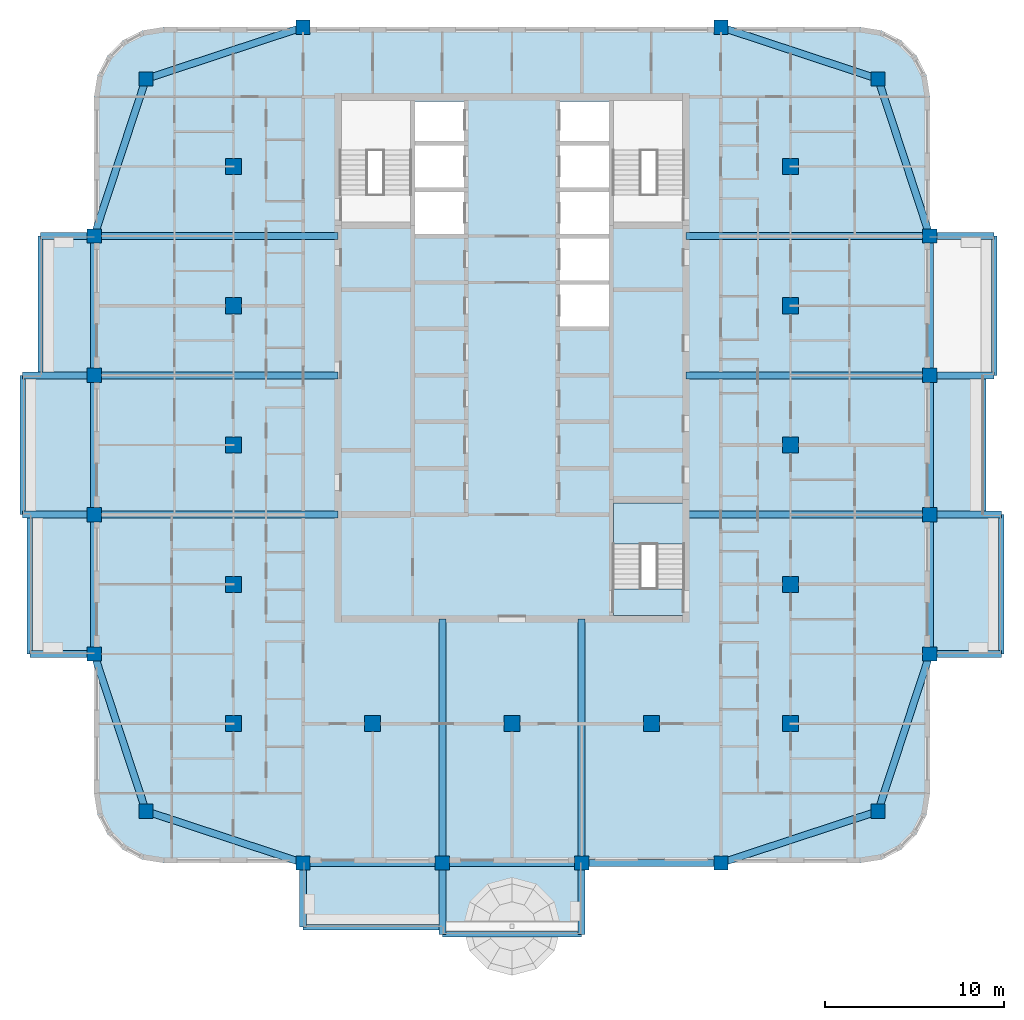
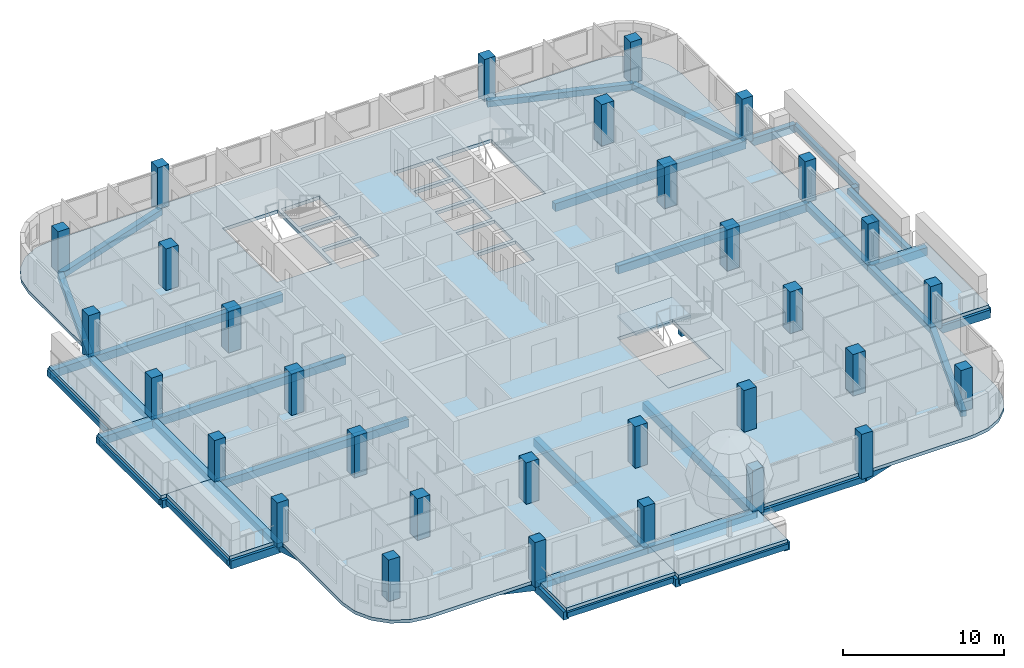
# One storey, part 1 of 17: 44 beams, 31 columns, 10 slabs, 1 element without a shape of its own.
"""IFC4 building model written with IfcOpenShell, lengths in metres."""

from ifc_helpers import new_model, si_unit, direction, frame, origin, origin_2d, place, context, subcontext, project, spatial, polyline, rectangle, outline, extrude, material, layer, layer_set, material_profile, profile_set, type_object, element, aggregate, save


model = new_model("IFC4")

# Units and contexts
model_context = context("Model", 3, precision=1e-05, world=origin(), true_north=direction((0.0, 1.0)))
body_context = subcontext(model_context, "Body", "Model", "MODEL_VIEW")
ifc_project = project(units=[si_unit("LENGTHUNIT", "METRE"), si_unit("AREAUNIT", "SQUARE_METRE"), si_unit("VOLUMEUNIT", "CUBIC_METRE"), si_unit("PLANEANGLEUNIT", "RADIAN"), si_unit("MASSUNIT", "GRAM", prefix="KILO")], contexts=[model_context])

# Site, building, storey
site_placement = place(None, origin())
site = spatial("IfcSite", under=ifc_project, at=site_placement, CompositionType="ELEMENT")
building_placement = place(site_placement, origin())
building = spatial("IfcBuilding", under=site, at=building_placement, Name="Ludao Terraces", CompositionType="ELEMENT")
storey_placement = place(building_placement, frame((0.0, 0.0, 221.10009765625)))
storey = spatial("IfcBuildingStorey", under=building, at=storey_placement, Name="L60", CompositionType="ELEMENT", Elevation=221.10009765625)

# Columns
ifc_material_1 = material(Name="Concrete C50", Category="concrete")
ifc_material_profile_1 = material_profile(ifc_material_1, rectangle(XDim=0.800048828125, YDim=0.800048828125, at=origin_2d()), Name="800 X 800")
ifc_profile_set_1 = profile_set([ifc_material_profile_1], Name="Concrete C50")
column_type_1 = type_object("IfcColumnType", Name="RC column 800x800 C50", PredefinedType="COLUMN", material=ifc_profile_set_1)
for number, where, z_axis, x_axis, name in (
    (1, (64.5, 44.5, -0.25), (0.0, 0.0, 1.0), (1.0, 0.0, 0.0), "Column L60 C0029x0029"),
    (2, (105.5, 44.5, -0.25), (0.0, 0.0, 1.0), (1.0, 0.0, 0.0), "Column L60 C0439x0029"),
    (3, (64.5, 85.5, -0.25), (0.0, 0.0, 1.0), (1.0, 0.0, 0.0), "Column L60 C0029x0439"),
    (4, (105.5, 85.5, -0.25), (0.0, 0.0, 1.0), (1.0, 0.0, 0.0), "Column L60 C0439x0439"),
    (5, (61.60009765625, 53.300048828125, -0.25), (0.0, 0.0, 1.0), (1.0, 0.0, 0.0), "Column L60 F0000x0117"),
    (6, (108.39990234375, 53.300048828125, -0.25), (0.0, 0.0, 1.0), (1.0, 0.0, 0.0), "Column L60 F0468x0117"),
    (7, (73.300048828125, 41.60009765625, -0.25), (0.0, 0.0, 1.0), (1.0, 0.0, 0.0), "Column L60 F0117x0000"),
    (8, (73.300048828125, 88.39990234375, -0.25), (0.0, 0.0, 1.0), (1.0, 0.0, 0.0), "Column L60 F0117x0468"),
    (9, (61.60009765625, 61.10009765625, -0.25), (0.0, 0.0, 1.0), (1.0, 0.0, 0.0), "Column L60 F0000x0195"),
    (10, (108.39990234375, 61.10009765625, -0.25), (0.0, 0.0, 1.0), (1.0, 0.0, 0.0), "Column L60 F0468x0195"),
    (11, (81.10009765625, 41.60009765625, -0.25), (0.0, 0.0, 1.0), (1.0, 0.0, 0.0), "Column L60 F0195x0000"),
    (12, (61.60009765625, 68.89990234375, -0.25), (0.0, 0.0, 1.0), (1.0, 0.0, 0.0), "Column L60 F0000x0273"),
    (13, (108.39990234375, 68.89990234375, -0.25), (0.0, 0.0, 1.0), (1.0, 0.0, 0.0), "Column L60 F0468x0273"),
    (14, (88.89990234375, 41.60009765625, -0.25), (0.0, 0.0, 1.0), (1.0, 0.0, 0.0), "Column L60 F0273x0000"),
    (15, (61.60009765625, 76.699951171875, -0.25), (0.0, 0.0, 1.0), (1.0, 0.0, 0.0), "Column L60 F0000x0351"),
    (16, (108.39990234375, 76.699951171875, -0.25), (0.0, 0.0, 1.0), (1.0, 0.0, 0.0), "Column L60 F0468x0351"),
    (17, (96.699951171875, 41.60009765625, -0.25), (0.0, 0.0, 1.0), (1.0, 0.0, 0.0), "Column L60 F0351x0000"),
    (18, (96.699951171875, 88.39990234375, -0.25), (0.0, 0.0, 1.0), (1.0, 0.0, 0.0), "Column L60 F0351x0468"),
):
    element("IfcColumn", number, at=place(storey_placement, frame(where, z_axis=z_axis, x_axis=x_axis)), inside=storey, type_object=column_type_1, Name=name, PredefinedType="COLUMN", context=body_context, shape_type="SweptSolid", body=[
        extrude(rectangle(XDim=0.800048828125, YDim=0.800048828125, at=origin_2d()), origin(), (0.0, 0.0, 1.0), 3.39990234375),
    ])
ifc_material_profile_2 = material_profile(ifc_material_1, rectangle(XDim=0.89990234375, YDim=0.89990234375, at=origin_2d()), Name="900 X 900")
ifc_profile_set_2 = profile_set([ifc_material_profile_2], Name="Concrete C50")
column_type_2 = type_object("IfcColumnType", Name="RC column 900x900 C50", PredefinedType="COLUMN", material=ifc_profile_set_2)
for number, where, z_axis, x_axis, name in (
    (19, (69.39990234375, 49.39990234375, -0.25), (0.0, 0.0, 1.0), (1.0, 0.0, 0.0), "Column L60 S0078x0078"),
    (20, (69.39990234375, 57.199951171875, -0.25), (0.0, 0.0, 1.0), (1.0, 0.0, 0.0), "Column L60 S0078x0156"),
    (21, (69.39990234375, 65.0, -0.25), (0.0, 0.0, 1.0), (1.0, 0.0, 0.0), "Column L60 S0078x0234"),
    (22, (69.39990234375, 72.800048828125, -0.25), (0.0, 0.0, 1.0), (1.0, 0.0, 0.0), "Column L60 S0078x0312"),
    (23, (69.39990234375, 80.60009765625, -0.25), (0.0, 0.0, 1.0), (1.0, 0.0, 0.0), "Column L60 S0078x0390"),
    (24, (77.199951171875, 49.39990234375, -0.25), (0.0, 0.0, 1.0), (1.0, 0.0, 0.0), "Column L60 S0156x0078"),
    (25, (85.0, 49.39990234375, -0.25), (0.0, 0.0, 1.0), (1.0, 0.0, 0.0), "Column L60 S0234x0078"),
    (26, (92.800048828125, 49.39990234375, -0.25), (0.0, 0.0, 1.0), (1.0, 0.0, 0.0), "Column L60 S0312x0078"),
    (27, (100.60009765625, 49.39990234375, -0.25), (0.0, 0.0, 1.0), (1.0, 0.0, 0.0), "Column L60 S0390x0078"),
    (28, (100.60009765625, 57.199951171875, -0.25), (0.0, 0.0, 1.0), (1.0, 0.0, 0.0), "Column L60 S0390x0156"),
    (29, (100.60009765625, 65.0, -0.25), (0.0, 0.0, 1.0), (1.0, 0.0, 0.0), "Column L60 S0390x0234"),
    (30, (100.60009765625, 72.800048828125, -0.25), (0.0, 0.0, 1.0), (1.0, 0.0, 0.0), "Column L60 S0390x0312"),
    (31, (100.60009765625, 80.60009765625, -0.25), (0.0, 0.0, 1.0), (1.0, 0.0, 0.0), "Column L60 S0390x0390"),
):
    element("IfcColumn", number, at=place(storey_placement, frame(where, z_axis=z_axis, x_axis=x_axis)), inside=storey, type_object=column_type_2, Name=name, PredefinedType="COLUMN", context=body_context, shape_type="SweptSolid", body=[
        extrude(rectangle(XDim=0.89990234375, YDim=0.89990234375, at=origin_2d()), origin(), (0.0, 0.0, 1.0), 3.39990234375),
    ])

# Beams
ifc_material_2 = material(Name="Concrete C40", Category="concrete")
ifc_material_profile_3 = material_profile(ifc_material_2, rectangle(XDim=0.300048828125, YDim=0.39990234375, at=origin_2d()), Name="300 X 400")
ifc_profile_set_3 = profile_set([ifc_material_profile_3], Name="Concrete C40")
beam_type_1 = type_object("IfcBeamType", Name="RC beam 300x400 C40", PredefinedType="BEAM", material=ifc_profile_set_3)
beam_1_placement = place(storey_placement, frame((73.300048828125, 38.0, -0.4501953125), z_axis=(1.0, 0.0, 0.0), x_axis=(0.0, 1.0, 0.0)))
element("IfcBeam", 32, at=beam_1_placement, inside=storey, type_object=beam_type_1, Name="Balcony edge beam L60 S1", PredefinedType="BEAM", context=body_context, shape_type="SweptSolid", body=[
    extrude(rectangle(XDim=0.300048828125, YDim=0.39990234375, at=origin_2d()), origin(), (0.0, 0.0, 1.0), 7.800048828125),
])
beam_2_placement = place(storey_placement, frame((81.10009765625, 37.60009765625, -0.4501953125), z_axis=(1.0, 0.0, 0.0), x_axis=(0.0, 1.0, 0.0)))
element("IfcBeam", 33, at=beam_2_placement, inside=storey, type_object=beam_type_1, Name="Balcony edge beam L60 S2", PredefinedType="BEAM", context=body_context, shape_type="SweptSolid", body=[
    extrude(rectangle(XDim=0.300048828125, YDim=0.39990234375, at=origin_2d()), origin(), (0.0, 0.0, 1.0), 7.7998046875),
])
beam_3_placement = place(storey_placement, frame((112.39990234375, 53.300048828125, -0.4501953125), z_axis=(0.0, 1.0, 0.0), x_axis=(-1.0, 0.0, 0.0)))
element("IfcBeam", 34, at=beam_3_placement, inside=storey, type_object=beam_type_1, Name="Balcony edge beam L60 E1", PredefinedType="BEAM", context=body_context, shape_type="SweptSolid", body=[
    extrude(rectangle(XDim=0.300048828125, YDim=0.39990234375, at=origin_2d()), origin(), (0.0, 0.0, 1.0), 7.800048828125),
])
beam_4_placement = place(storey_placement, frame((111.39990234375, 61.10009765625, -0.4501953125), z_axis=(0.0, 1.0, 0.0), x_axis=(-1.0, 0.0, 0.0)))
element("IfcBeam", 35, at=beam_4_placement, inside=storey, type_object=beam_type_1, Name="Balcony edge beam L60 E2", PredefinedType="BEAM", context=body_context, shape_type="SweptSolid", body=[
    extrude(rectangle(XDim=0.300048828125, YDim=0.39990234375, at=origin_2d()), origin(), (0.0, 0.0, 1.0), 7.7998046875),
])
for number, where, z_axis, x_axis, name in (
    (36, (112.0, 68.89990234375, -0.4501953125), (0.0, 1.0, 0.0), (-1.0, 0.0, 0.0), "Balcony edge beam L60 E3"),
    (37, (58.0, 53.300048828125, -0.4501953125), (0.0, 1.0, 0.0), (-1.0, 0.0, 0.0), "Balcony edge beam L60 W1"),
):
    element("IfcBeam", number, at=place(storey_placement, frame(where, z_axis=z_axis, x_axis=x_axis)), inside=storey, type_object=beam_type_1, Name=name, PredefinedType="BEAM", context=body_context, shape_type="SweptSolid", body=[
        extrude(rectangle(XDim=0.300048828125, YDim=0.39990234375, at=origin_2d()), origin(), (0.0, 0.0, 1.0), 7.800048828125),
    ])
beam_5_placement = place(storey_placement, frame((57.60009765625, 61.10009765625, -0.4501953125), z_axis=(0.0, 1.0, 0.0), x_axis=(-1.0, 0.0, 0.0)))
element("IfcBeam", 38, at=beam_5_placement, inside=storey, type_object=beam_type_1, Name="Balcony edge beam L60 W2", PredefinedType="BEAM", context=body_context, shape_type="SweptSolid", body=[
    extrude(rectangle(XDim=0.300048828125, YDim=0.39990234375, at=origin_2d()), origin(), (0.0, 0.0, 1.0), 7.7998046875),
])
beam_6_placement = place(storey_placement, frame((58.60009765625, 68.89990234375, -0.4501953125), z_axis=(0.0, 1.0, 0.0), x_axis=(-1.0, 0.0, 0.0)))
element("IfcBeam", 39, at=beam_6_placement, inside=storey, type_object=beam_type_1, Name="Balcony edge beam L60 W3", PredefinedType="BEAM", context=body_context, shape_type="SweptSolid", body=[
    extrude(rectangle(XDim=0.300048828125, YDim=0.39990234375, at=origin_2d()), origin(), (0.0, 0.0, 1.0), 7.800048828125),
])
ifc_material_profile_4 = material_profile(ifc_material_2, rectangle(XDim=0.39990234375, YDim=0.449951171875, at=origin_2d()), Name="400 X 450")
ifc_profile_set_4 = profile_set([ifc_material_profile_4], Name="Concrete C40")
beam_type_2 = type_object("IfcBeamType", Name="RC beam 400x450 C40", PredefinedType="BEAM", material=ifc_profile_set_4)
beam_7_placement = place(storey_placement, frame((64.5, 44.5, -0.47509765625), z_axis=(0.949760691408, -0.312977042379, 0.0), x_axis=(0.312977042379, 0.949760691408, 0.0)))
element("IfcBeam", 40, at=beam_7_placement, inside=storey, type_object=beam_type_2, Name="Spandrel beam L60 S1", PredefinedType="BEAM", context=body_context, shape_type="SweptSolid", body=[
    extrude(rectangle(XDim=0.39990234375, YDim=0.449951171875, at=origin_2d()), origin(), (0.0, 0.0, 1.0), 9.265625),
])
beam_8_placement = place(storey_placement, frame((73.300048828125, 41.60009765625, -0.47509765625), z_axis=(1.0, 0.0, 0.0), x_axis=(0.0, 1.0, 0.0)))
element("IfcBeam", 41, at=beam_8_placement, inside=storey, type_object=beam_type_2, Name="Spandrel beam L60 S2", PredefinedType="BEAM", context=body_context, shape_type="SweptSolid", body=[
    extrude(rectangle(XDim=0.39990234375, YDim=0.449951171875, at=origin_2d()), origin(), (0.0, 0.0, 1.0), 7.800048828125),
])
beam_9_placement = place(storey_placement, frame((81.10009765625, 41.60009765625, -0.47509765625), z_axis=(1.0, 0.0, 0.0), x_axis=(0.0, 1.0, 0.0)))
element("IfcBeam", 42, at=beam_9_placement, inside=storey, type_object=beam_type_2, Name="Spandrel beam L60 S3", PredefinedType="BEAM", context=body_context, shape_type="SweptSolid", body=[
    extrude(rectangle(XDim=0.39990234375, YDim=0.449951171875, at=origin_2d()), origin(), (0.0, 0.0, 1.0), 7.7998046875),
])
beam_10_placement = place(storey_placement, frame((88.89990234375, 41.60009765625, -0.47509765625), z_axis=(1.0, 0.0, 0.0), x_axis=(0.0, 1.0, 0.0)))
element("IfcBeam", 43, at=beam_10_placement, inside=storey, type_object=beam_type_2, Name="Spandrel beam L60 S4", PredefinedType="BEAM", context=body_context, shape_type="SweptSolid", body=[
    extrude(rectangle(XDim=0.39990234375, YDim=0.449951171875, at=origin_2d()), origin(), (0.0, 0.0, 1.0), 7.800048828125),
])
for number, where, z_axis, x_axis, name in (
    (44, (96.699951171875, 41.60009765625, -0.47509765625), (0.949760691408, 0.312977042379, 0.0), (-0.312977042379, 0.949760691408, 0.0), "Spandrel beam L60 S5"),
    (45, (64.5, 85.5, -0.47509765625), (0.949760691408, 0.312977042379, 0.0), (-0.312977042379, 0.949760691408, 0.0), "Spandrel beam L60 N6"),
    (46, (96.699951171875, 88.39990234375, -0.47509765625), (0.949760691408, -0.312977042379, 0.0), (0.312977042379, 0.949760691408, 0.0), "Spandrel beam L60 N7"),
    (47, (64.5, 44.5, -0.47509765625), (-0.312977042379, 0.949760691408, 0.0), (-0.949760691408, -0.312977042379, 0.0), "Spandrel beam L60 W8"),
):
    element("IfcBeam", number, at=place(storey_placement, frame(where, z_axis=z_axis, x_axis=x_axis)), inside=storey, type_object=beam_type_2, Name=name, PredefinedType="BEAM", context=body_context, shape_type="SweptSolid", body=[
        extrude(rectangle(XDim=0.39990234375, YDim=0.449951171875, at=origin_2d()), origin(), (0.0, 0.0, 1.0), 9.265625),
    ])
beam_11_placement = place(storey_placement, frame((61.60009765625, 53.300048828125, -0.47509765625), z_axis=(0.0, 1.0, 0.0), x_axis=(-1.0, 0.0, 0.0)))
element("IfcBeam", 48, at=beam_11_placement, inside=storey, type_object=beam_type_2, Name="Spandrel beam L60 W9", PredefinedType="BEAM", context=body_context, shape_type="SweptSolid", body=[
    extrude(rectangle(XDim=0.39990234375, YDim=0.449951171875, at=origin_2d()), origin(), (0.0, 0.0, 1.0), 7.800048828125),
])
beam_12_placement = place(storey_placement, frame((61.60009765625, 61.10009765625, -0.47509765625), z_axis=(0.0, 1.0, 0.0), x_axis=(-1.0, 0.0, 0.0)))
element("IfcBeam", 49, at=beam_12_placement, inside=storey, type_object=beam_type_2, Name="Spandrel beam L60 W10", PredefinedType="BEAM", context=body_context, shape_type="SweptSolid", body=[
    extrude(rectangle(XDim=0.39990234375, YDim=0.449951171875, at=origin_2d()), origin(), (0.0, 0.0, 1.0), 7.7998046875),
])
beam_13_placement = place(storey_placement, frame((61.60009765625, 68.89990234375, -0.47509765625), z_axis=(0.0, 1.0, 0.0), x_axis=(-1.0, 0.0, 0.0)))
element("IfcBeam", 50, at=beam_13_placement, inside=storey, type_object=beam_type_2, Name="Spandrel beam L60 W11", PredefinedType="BEAM", context=body_context, shape_type="SweptSolid", body=[
    extrude(rectangle(XDim=0.39990234375, YDim=0.449951171875, at=origin_2d()), origin(), (0.0, 0.0, 1.0), 7.800048828125),
])
for number, where, z_axis, x_axis, name in (
    (51, (61.60009765625, 76.699951171875, -0.47509765625), (0.312977042379, 0.949760691408, 0.0), (-0.949760691408, 0.312977042379, 0.0), "Spandrel beam L60 W12"),
    (52, (105.5, 44.5, -0.47509765625), (0.312977042379, 0.949760691408, 0.0), (-0.949760691408, 0.312977042379, 0.0), "Spandrel beam L60 E13"),
):
    element("IfcBeam", number, at=place(storey_placement, frame(where, z_axis=z_axis, x_axis=x_axis)), inside=storey, type_object=beam_type_2, Name=name, PredefinedType="BEAM", context=body_context, shape_type="SweptSolid", body=[
        extrude(rectangle(XDim=0.39990234375, YDim=0.449951171875, at=origin_2d()), origin(), (0.0, 0.0, 1.0), 9.265625),
    ])
beam_14_placement = place(storey_placement, frame((108.39990234375, 53.300048828125, -0.47509765625), z_axis=(0.0, 1.0, 0.0), x_axis=(-1.0, 0.0, 0.0)))
element("IfcBeam", 53, at=beam_14_placement, inside=storey, type_object=beam_type_2, Name="Spandrel beam L60 E14", PredefinedType="BEAM", context=body_context, shape_type="SweptSolid", body=[
    extrude(rectangle(XDim=0.39990234375, YDim=0.449951171875, at=origin_2d()), origin(), (0.0, 0.0, 1.0), 7.800048828125),
])
beam_15_placement = place(storey_placement, frame((108.39990234375, 61.10009765625, -0.47509765625), z_axis=(0.0, 1.0, 0.0), x_axis=(-1.0, 0.0, 0.0)))
element("IfcBeam", 54, at=beam_15_placement, inside=storey, type_object=beam_type_2, Name="Spandrel beam L60 E15", PredefinedType="BEAM", context=body_context, shape_type="SweptSolid", body=[
    extrude(rectangle(XDim=0.39990234375, YDim=0.449951171875, at=origin_2d()), origin(), (0.0, 0.0, 1.0), 7.7998046875),
])
beam_16_placement = place(storey_placement, frame((108.39990234375, 68.89990234375, -0.47509765625), z_axis=(0.0, 1.0, 0.0), x_axis=(-1.0, 0.0, 0.0)))
element("IfcBeam", 55, at=beam_16_placement, inside=storey, type_object=beam_type_2, Name="Spandrel beam L60 E16", PredefinedType="BEAM", context=body_context, shape_type="SweptSolid", body=[
    extrude(rectangle(XDim=0.39990234375, YDim=0.449951171875, at=origin_2d()), origin(), (0.0, 0.0, 1.0), 7.800048828125),
])
beam_17_placement = place(storey_placement, frame((108.39990234375, 76.699951171875, -0.47509765625), z_axis=(-0.312977042379, 0.949760691408, 0.0), x_axis=(-0.949760691408, -0.312977042379, 0.0)))
element("IfcBeam", 56, at=beam_17_placement, inside=storey, type_object=beam_type_2, Name="Spandrel beam L60 E17", PredefinedType="BEAM", context=body_context, shape_type="SweptSolid", body=[
    extrude(rectangle(XDim=0.39990234375, YDim=0.449951171875, at=origin_2d()), origin(), (0.0, 0.0, 1.0), 9.265625),
])
ifc_material_profile_5 = material_profile(ifc_material_2, rectangle(XDim=0.39990234375, YDim=0.60009765625, at=origin_2d()), Name="400 X 600")
ifc_profile_set_5 = profile_set([ifc_material_profile_5], Name="Concrete C40")
beam_type_3 = type_object("IfcBeamType", Name="RC beam 400x600 C40", PredefinedType="BEAM", material=ifc_profile_set_5)
beam_18_placement = place(storey_placement, frame((108.39990234375, 53.300048828125, -0.550048828125), z_axis=(1.0, 0.0, 0.0), x_axis=(0.0, 1.0, 0.0)))
element("IfcBeam", 57, at=beam_18_placement, inside=storey, type_object=beam_type_3, Name="Balcony beam L60 E533", PredefinedType="BEAM", context=body_context, shape_type="SweptSolid", body=[
    extrude(rectangle(XDim=0.39990234375, YDim=0.60009765625, at=origin_2d()), origin(), (0.0, 0.0, 1.0), 4.0),
])
beam_19_placement = place(storey_placement, frame((94.75, 61.10009765625, -0.550048828125), z_axis=(1.0, 0.0, 0.0), x_axis=(0.0, 1.0, 0.0)))
element("IfcBeam", 58, at=beam_19_placement, inside=storey, type_object=beam_type_3, Name="Balcony beam L60 E611", PredefinedType="BEAM", context=body_context, shape_type="SweptSolid", body=[
    extrude(rectangle(XDim=0.39990234375, YDim=0.60009765625, at=origin_2d()), origin(), (0.0, 0.0, 1.0), 13.64990234375),
])
beam_20_placement = place(storey_placement, frame((108.39990234375, 61.10009765625, -0.550048828125), z_axis=(1.0, 0.0, 0.0), x_axis=(0.0, 1.0, 0.0)))
element("IfcBeam", 59, at=beam_20_placement, inside=storey, type_object=beam_type_3, Name="Balcony beam L60 E611", PredefinedType="BEAM", context=body_context, shape_type="SweptSolid", body=[
    extrude(rectangle(XDim=0.39990234375, YDim=0.60009765625, at=origin_2d()), origin(), (0.0, 0.0, 1.0), 4.0),
])
beam_21_placement = place(storey_placement, frame((94.75, 68.89990234375, -0.550048828125), z_axis=(1.0, 0.0, 0.0), x_axis=(0.0, 1.0, 0.0)))
element("IfcBeam", 60, at=beam_21_placement, inside=storey, type_object=beam_type_3, Name="Balcony beam L60 E689", PredefinedType="BEAM", context=body_context, shape_type="SweptSolid", body=[
    extrude(rectangle(XDim=0.39990234375, YDim=0.60009765625, at=origin_2d()), origin(), (0.0, 0.0, 1.0), 13.64990234375),
])
beam_22_placement = place(storey_placement, frame((108.39990234375, 68.89990234375, -0.550048828125), z_axis=(1.0, 0.0, 0.0), x_axis=(0.0, 1.0, 0.0)))
element("IfcBeam", 61, at=beam_22_placement, inside=storey, type_object=beam_type_3, Name="Balcony beam L60 E689", PredefinedType="BEAM", context=body_context, shape_type="SweptSolid", body=[
    extrude(rectangle(XDim=0.39990234375, YDim=0.60009765625, at=origin_2d()), origin(), (0.0, 0.0, 1.0), 3.60009765625),
])
beam_23_placement = place(storey_placement, frame((94.75, 76.699951171875, -0.550048828125), z_axis=(1.0, 0.0, 0.0), x_axis=(0.0, 1.0, 0.0)))
element("IfcBeam", 62, at=beam_23_placement, inside=storey, type_object=beam_type_3, Name="Balcony beam L60 E767", PredefinedType="BEAM", context=body_context, shape_type="SweptSolid", body=[
    extrude(rectangle(XDim=0.39990234375, YDim=0.60009765625, at=origin_2d()), origin(), (0.0, 0.0, 1.0), 13.64990234375),
])
for number, where, z_axis, x_axis, name in (
    (63, (108.39990234375, 76.699951171875, -0.550048828125), (1.0, 0.0, 0.0), (0.0, 1.0, 0.0), "Balcony beam L60 E767"),
    (64, (73.300048828125, 41.60009765625, -0.550048828125), (0.0, -1.0, 0.0), (1.0, 0.0, 0.0), "Balcony beam L60 S733"),
):
    element("IfcBeam", number, at=place(storey_placement, frame(where, z_axis=z_axis, x_axis=x_axis)), inside=storey, type_object=beam_type_3, Name=name, PredefinedType="BEAM", context=body_context, shape_type="SweptSolid", body=[
        extrude(rectangle(XDim=0.39990234375, YDim=0.60009765625, at=origin_2d()), origin(), (0.0, 0.0, 1.0), 3.60009765625),
    ])
beam_24_placement = place(storey_placement, frame((81.10009765625, 55.25, -0.550048828125), z_axis=(0.0, -1.0, 0.0), x_axis=(1.0, 0.0, 0.0)))
element("IfcBeam", 65, at=beam_24_placement, inside=storey, type_object=beam_type_3, Name="Balcony beam L60 S811", PredefinedType="BEAM", context=body_context, shape_type="SweptSolid", body=[
    extrude(rectangle(XDim=0.39990234375, YDim=0.60009765625, at=origin_2d()), origin(), (0.0, 0.0, 1.0), 13.64990234375),
])
beam_25_placement = place(storey_placement, frame((81.10009765625, 41.60009765625, -0.550048828125), z_axis=(0.0, -1.0, 0.0), x_axis=(1.0, 0.0, 0.0)))
element("IfcBeam", 66, at=beam_25_placement, inside=storey, type_object=beam_type_3, Name="Balcony beam L60 S811", PredefinedType="BEAM", context=body_context, shape_type="SweptSolid", body=[
    extrude(rectangle(XDim=0.39990234375, YDim=0.60009765625, at=origin_2d()), origin(), (0.0, 0.0, 1.0), 4.0),
])
beam_26_placement = place(storey_placement, frame((88.89990234375, 55.25, -0.550048828125), z_axis=(0.0, -1.0, 0.0), x_axis=(1.0, 0.0, 0.0)))
element("IfcBeam", 67, at=beam_26_placement, inside=storey, type_object=beam_type_3, Name="Balcony beam L60 S889", PredefinedType="BEAM", context=body_context, shape_type="SweptSolid", body=[
    extrude(rectangle(XDim=0.39990234375, YDim=0.60009765625, at=origin_2d()), origin(), (0.0, 0.0, 1.0), 13.64990234375),
])
beam_27_placement = place(storey_placement, frame((88.89990234375, 41.60009765625, -0.550048828125), z_axis=(0.0, -1.0, 0.0), x_axis=(1.0, 0.0, 0.0)))
element("IfcBeam", 68, at=beam_27_placement, inside=storey, type_object=beam_type_3, Name="Balcony beam L60 S889", PredefinedType="BEAM", context=body_context, shape_type="SweptSolid", body=[
    extrude(rectangle(XDim=0.39990234375, YDim=0.60009765625, at=origin_2d()), origin(), (0.0, 0.0, 1.0), 4.0),
])
beam_28_placement = place(storey_placement, frame((61.60009765625, 53.300048828125, -0.550048828125), z_axis=(-1.0, 0.0, 0.0), x_axis=(0.0, -1.0, 0.0)))
element("IfcBeam", 69, at=beam_28_placement, inside=storey, type_object=beam_type_3, Name="Balcony beam L60 W533", PredefinedType="BEAM", context=body_context, shape_type="SweptSolid", body=[
    extrude(rectangle(XDim=0.39990234375, YDim=0.60009765625, at=origin_2d()), origin(), (0.0, 0.0, 1.0), 3.60009765625),
])
beam_29_placement = place(storey_placement, frame((75.25, 61.10009765625, -0.550048828125), z_axis=(-1.0, 0.0, 0.0), x_axis=(0.0, -1.0, 0.0)))
element("IfcBeam", 70, at=beam_29_placement, inside=storey, type_object=beam_type_3, Name="Balcony beam L60 W611", PredefinedType="BEAM", context=body_context, shape_type="SweptSolid", body=[
    extrude(rectangle(XDim=0.39990234375, YDim=0.60009765625, at=origin_2d()), origin(), (0.0, 0.0, 1.0), 13.64990234375),
])
beam_30_placement = place(storey_placement, frame((61.60009765625, 61.10009765625, -0.550048828125), z_axis=(-1.0, 0.0, 0.0), x_axis=(0.0, -1.0, 0.0)))
element("IfcBeam", 71, at=beam_30_placement, inside=storey, type_object=beam_type_3, Name="Balcony beam L60 W611", PredefinedType="BEAM", context=body_context, shape_type="SweptSolid", body=[
    extrude(rectangle(XDim=0.39990234375, YDim=0.60009765625, at=origin_2d()), origin(), (0.0, 0.0, 1.0), 4.0),
])
beam_31_placement = place(storey_placement, frame((75.25, 68.89990234375, -0.550048828125), z_axis=(-1.0, 0.0, 0.0), x_axis=(0.0, -1.0, 0.0)))
element("IfcBeam", 72, at=beam_31_placement, inside=storey, type_object=beam_type_3, Name="Balcony beam L60 W689", PredefinedType="BEAM", context=body_context, shape_type="SweptSolid", body=[
    extrude(rectangle(XDim=0.39990234375, YDim=0.60009765625, at=origin_2d()), origin(), (0.0, 0.0, 1.0), 13.64990234375),
])
beam_32_placement = place(storey_placement, frame((61.60009765625, 68.89990234375, -0.550048828125), z_axis=(-1.0, 0.0, 0.0), x_axis=(0.0, -1.0, 0.0)))
element("IfcBeam", 73, at=beam_32_placement, inside=storey, type_object=beam_type_3, Name="Balcony beam L60 W689", PredefinedType="BEAM", context=body_context, shape_type="SweptSolid", body=[
    extrude(rectangle(XDim=0.39990234375, YDim=0.60009765625, at=origin_2d()), origin(), (0.0, 0.0, 1.0), 4.0),
])
beam_33_placement = place(storey_placement, frame((75.25, 76.699951171875, -0.550048828125), z_axis=(-1.0, 0.0, 0.0), x_axis=(0.0, -1.0, 0.0)))
element("IfcBeam", 74, at=beam_33_placement, inside=storey, type_object=beam_type_3, Name="Balcony beam L60 W767", PredefinedType="BEAM", context=body_context, shape_type="SweptSolid", body=[
    extrude(rectangle(XDim=0.39990234375, YDim=0.60009765625, at=origin_2d()), origin(), (0.0, 0.0, 1.0), 13.64990234375),
])
beam_34_placement = place(storey_placement, frame((61.60009765625, 76.699951171875, -0.550048828125), z_axis=(-1.0, 0.0, 0.0), x_axis=(0.0, -1.0, 0.0)))
element("IfcBeam", 75, at=beam_34_placement, inside=storey, type_object=beam_type_3, Name="Balcony beam L60 W767", PredefinedType="BEAM", context=body_context, shape_type="SweptSolid", body=[
    extrude(rectangle(XDim=0.39990234375, YDim=0.60009765625, at=origin_2d()), origin(), (0.0, 0.0, 1.0), 3.0),
])

# Slabs
ifc_layer_1 = layer(ifc_material_2, 0.25)
ifc_layer_set_1 = layer_set([ifc_layer_1], Name="Balcony slab 250 C40")
slab_type_1 = type_object("IfcSlabType", Name="Balcony slab 250 C40", PredefinedType="USERDEFINED", material=ifc_layer_set_1)
slab_1_placement = place(storey_placement, frame((0.0, 0.0, -0.25)))
element("IfcSlab", 76, at=slab_1_placement, inside=storey, type_object=slab_type_1, Name="Balcony L60 S1", ObjectType="BALCONY", PredefinedType="USERDEFINED", context=body_context, shape_type="SweptSolid", body=[
    extrude(outline(polyline([(73.300048828125, 38.0), (81.10009765625, 38.0), (81.10009765625, 41.60009765625), (73.300048828125, 41.60009765625), (73.300048828125, 38.0)])), origin(), (0.0, 0.0, 1.0), 0.25),
])
slab_2_placement = place(storey_placement, frame((0.0, 0.0, -0.25)))
element("IfcSlab", 77, at=slab_2_placement, inside=storey, type_object=slab_type_1, Name="Balcony L60 S2", ObjectType="BALCONY", PredefinedType="USERDEFINED", context=body_context, shape_type="SweptSolid", body=[
    extrude(outline(polyline([(81.10009765625, 37.60009765625), (88.89990234375, 37.60009765625), (88.89990234375, 41.60009765625), (81.10009765625, 41.60009765625), (81.10009765625, 37.60009765625)])), origin(), (0.0, 0.0, 1.0), 0.25),
])
slab_3_placement = place(storey_placement, frame((0.0, 0.0, -0.25)))
element("IfcSlab", 78, at=slab_3_placement, inside=storey, type_object=slab_type_1, Name="Balcony L60 E1", ObjectType="BALCONY", PredefinedType="USERDEFINED", context=body_context, shape_type="SweptSolid", body=[
    extrude(outline(polyline([(108.39990234375, 53.300048828125), (112.39990234375, 53.300048828125), (112.39990234375, 61.10009765625), (108.39990234375, 61.10009765625), (108.39990234375, 53.300048828125)])), origin(), (0.0, 0.0, 1.0), 0.25),
])
slab_4_placement = place(storey_placement, frame((0.0, 0.0, -0.25)))
element("IfcSlab", 79, at=slab_4_placement, inside=storey, type_object=slab_type_1, Name="Balcony L60 E2", ObjectType="BALCONY", PredefinedType="USERDEFINED", context=body_context, shape_type="SweptSolid", body=[
    extrude(outline(polyline([(108.39990234375, 61.10009765625), (111.39990234375, 61.10009765625), (111.39990234375, 68.89990234375), (108.39990234375, 68.89990234375), (108.39990234375, 61.10009765625)])), origin(), (0.0, 0.0, 1.0), 0.25),
])
slab_5_placement = place(storey_placement, frame((0.0, 0.0, -0.25)))
element("IfcSlab", 80, at=slab_5_placement, inside=storey, type_object=slab_type_1, Name="Balcony L60 W1", ObjectType="BALCONY", PredefinedType="USERDEFINED", context=body_context, shape_type="SweptSolid", body=[
    extrude(outline(polyline([(58.0, 53.300048828125), (61.60009765625, 53.300048828125), (61.60009765625, 61.10009765625), (58.0, 61.10009765625), (58.0, 53.300048828125)])), origin(), (0.0, 0.0, 1.0), 0.25),
])
slab_6_placement = place(storey_placement, frame((0.0, 0.0, -0.25)))
element("IfcSlab", 81, at=slab_6_placement, inside=storey, type_object=slab_type_1, Name="Balcony L60 W2", ObjectType="BALCONY", PredefinedType="USERDEFINED", context=body_context, shape_type="SweptSolid", body=[
    extrude(outline(polyline([(57.60009765625, 61.10009765625), (61.60009765625, 61.10009765625), (61.60009765625, 68.89990234375), (57.60009765625, 68.89990234375), (57.60009765625, 61.10009765625)])), origin(), (0.0, 0.0, 1.0), 0.25),
])
slab_7_placement = place(storey_placement, frame((0.0, 0.0, -0.25)))
element("IfcSlab", 82, at=slab_7_placement, inside=storey, type_object=slab_type_1, Name="Balcony L60 W3", ObjectType="BALCONY", PredefinedType="USERDEFINED", context=body_context, shape_type="SweptSolid", body=[
    extrude(outline(polyline([(58.60009765625, 68.89990234375), (61.60009765625, 68.89990234375), (61.60009765625, 76.699951171875), (58.60009765625, 76.699951171875), (58.60009765625, 68.89990234375)])), origin(), (0.0, 0.0, 1.0), 0.25),
])
ifc_layer_2 = layer(ifc_material_2, 0.25)
ifc_layer_set_2 = layer_set([ifc_layer_2], Name="Floor slab 250 C40")
slab_type_2 = type_object("IfcSlabType", Name="Floor slab 250 C40", PredefinedType="FLOOR", material=ifc_layer_set_2)
slab_8_placement = place(storey_placement, frame((0.0, 0.0, -0.25)))
element("IfcSlab", 83, at=slab_8_placement, inside=storey, type_object=slab_type_2, Name="Slab L60", PredefinedType="FLOOR", context=body_context, shape_type="SweptSolid", body=[
    extrude(outline(polyline([(104.5, 41.60009765625), (105.705078125, 41.790771484375), (106.79248046875, 42.3447265625), (107.6552734375, 43.20751953125), (108.209228515625, 44.294921875), (108.39990234375, 45.5), (108.39990234375, 84.5), (108.209228515625, 85.705078125), (107.6552734375, 86.79248046875), (106.79248046875, 87.6552734375), (105.705078125, 88.209228515625), (104.5, 88.39990234375), (65.5, 88.39990234375), (64.294921875, 88.209228515625), (63.20751953125, 87.6552734375), (62.3447265625, 86.79248046875), (61.790771484375, 85.705078125), (61.60009765625, 84.5), (61.60009765625, 45.5), (61.790771484375, 44.294921875), (62.3447265625, 43.20751953125), (63.20751953125, 42.3447265625), (64.294921875, 41.790771484375), (65.5, 41.60009765625), (104.5, 41.60009765625)]), holes=[polyline([(79.574951171875, 76.824951171875), (82.324951171875, 76.824951171875), (82.324951171875, 79.175048828125), (79.574951171875, 79.175048828125), (79.574951171875, 76.824951171875)]), polyline([(79.574951171875, 79.425048828125), (82.324951171875, 79.425048828125), (82.324951171875, 81.77490234375), (79.574951171875, 81.77490234375), (79.574951171875, 79.425048828125)]), polyline([(79.574951171875, 82.02490234375), (82.324951171875, 82.02490234375), (82.324951171875, 84.239990234375), (79.574951171875, 84.239990234375), (79.574951171875, 82.02490234375)]), polyline([(87.675048828125, 71.625), (90.425048828125, 71.625), (90.425048828125, 73.97509765625), (87.675048828125, 73.97509765625), (87.675048828125, 71.625)]), polyline([(87.675048828125, 74.22509765625), (90.425048828125, 74.22509765625), (90.425048828125, 76.574951171875), (87.675048828125, 76.574951171875), (87.675048828125, 74.22509765625)]), polyline([(87.675048828125, 76.824951171875), (90.425048828125, 76.824951171875), (90.425048828125, 79.175048828125), (87.675048828125, 79.175048828125), (87.675048828125, 76.824951171875)]), polyline([(87.675048828125, 79.425048828125), (90.425048828125, 79.425048828125), (90.425048828125, 81.77490234375), (87.675048828125, 81.77490234375), (87.675048828125, 79.425048828125)]), polyline([(87.675048828125, 82.02490234375), (90.425048828125, 82.02490234375), (90.425048828125, 84.239990234375), (87.675048828125, 84.239990234375), (87.675048828125, 82.02490234375)]), polyline([(75.375, 77.5), (79.324951171875, 77.5), (79.324951171875, 84.239990234375), (75.375, 84.239990234375), (75.375, 77.5)]), polyline([(90.675048828125, 77.5), (94.625, 77.5), (94.625, 84.239990234375), (90.675048828125, 84.239990234375), (90.675048828125, 77.5)]), polyline([(90.675048828125, 55.449951171875), (94.625, 55.449951171875), (94.625, 61.75), (90.675048828125, 61.75), (90.675048828125, 55.449951171875)])]), origin(), (0.0, 0.0, 1.0), 0.25),
])

# Stair, slabs
stair_type = type_object("IfcStairType", Name="INT Stair", PredefinedType="HALF_TURN_STAIR", material=ifc_material_2)
stair_placement = place(storey_placement, origin())
stair = element("IfcStair", 84, at=stair_placement, inside=storey, type_object=stair_type, Name="EXIT STAIR 3", PredefinedType="HALF_TURN_STAIR")
ifc_layer_3 = layer(ifc_material_2, 0.199951171875)
ifc_layer_set_3 = layer_set([ifc_layer_3], Name="INT Stair landing 200")
slab_type_3 = type_object("IfcSlabType", Name="INT Stair landing 200", PredefinedType="LANDING", material=ifc_layer_set_3)
slab_9_placement = place(storey_placement, frame((0.0, 0.0, 1.5)))
slab_9 = element("IfcSlab", 85, at=slab_9_placement, type_object=slab_type_3, Name="ST3 landing 1", PredefinedType="LANDING", context=body_context, shape_type="SweptSolid", body=[
    extrude(outline(polyline([(90.675048828125, 59.469970703125), (94.625, 59.469970703125), (94.625, 61.75), (90.675048828125, 61.75), (90.675048828125, 59.469970703125)])), origin(), (0.0, 0.0, 1.0), 0.199951171875),
])
slab_10_placement = place(storey_placement, frame((0.0, 0.0, -0.2001953125)))
slab_10 = element("IfcSlab", 86, at=slab_10_placement, type_object=slab_type_3, Name="ST3 landing 2", PredefinedType="LANDING", context=body_context, shape_type="SweptSolid", body=[
    extrude(outline(polyline([(90.675048828125, 55.449951171875), (94.625, 55.449951171875), (94.625, 56.949951171875), (90.675048828125, 56.949951171875), (90.675048828125, 55.449951171875)])), origin(), (0.0, 0.0, 1.0), 0.2001953125),
])
aggregate(stair, [slab_9, slab_10])

save(model, "model.ifc")
